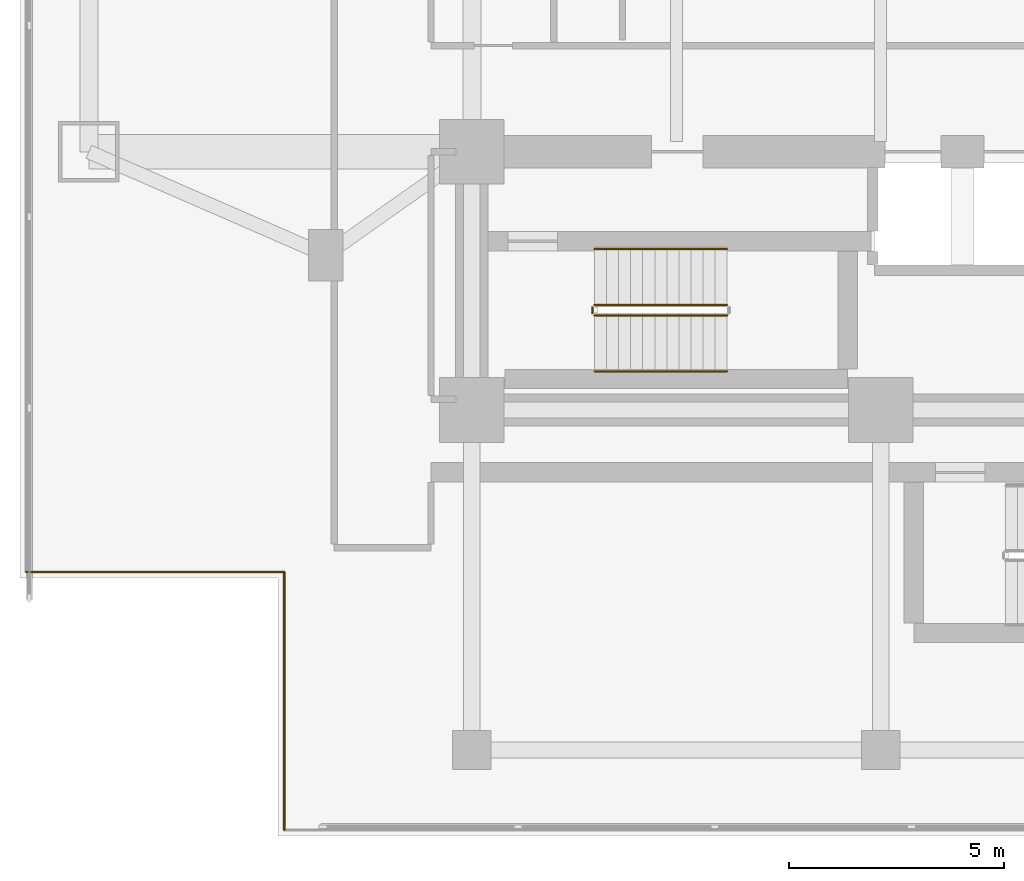
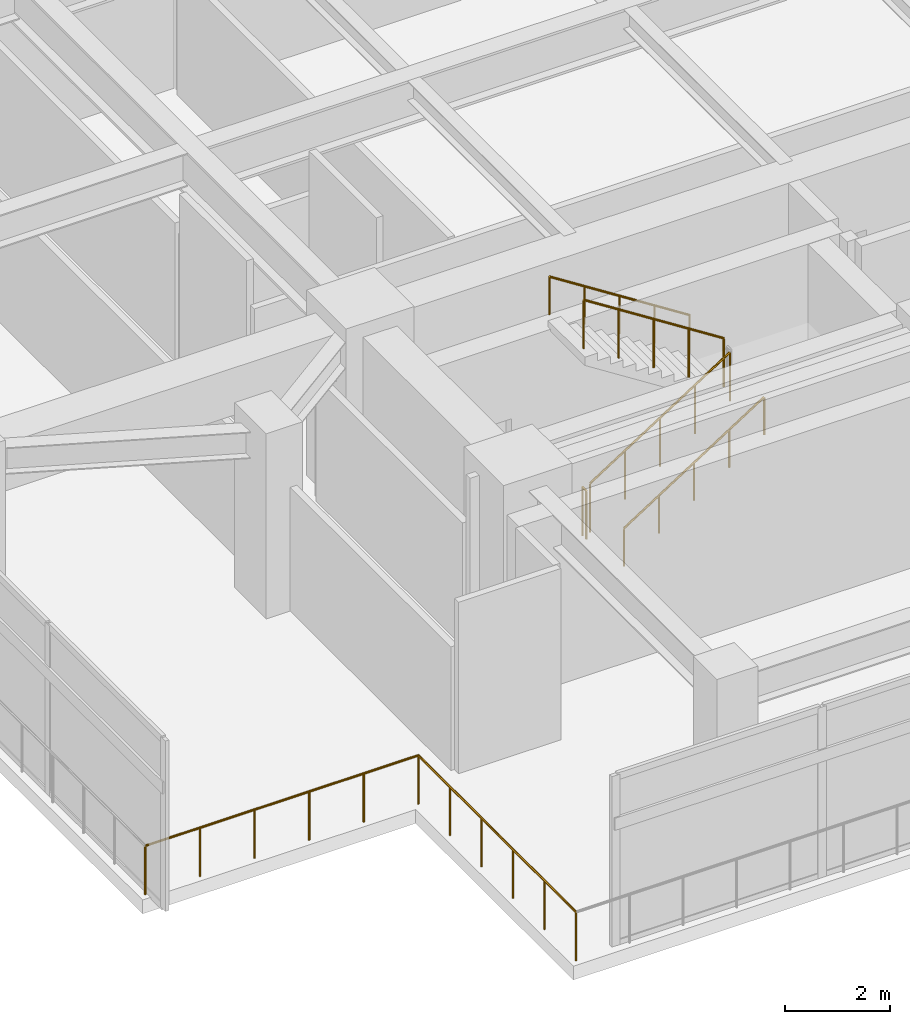
# One storey, part 20 of 30: 7 railings.
"""IFC4 building model written with IfcOpenShell, lengths in metres."""

from ifc_helpers import new_model, si_unit, direction, frame, origin, origin_2d, place, context, subcontext, project, spatial, circle, extrude, material, type_object, element, save


model = new_model("IFC4")

# Units and contexts
model_context = context("Model", 3, precision=1e-05, world=origin(), true_north=direction((0.0, 1.0)))
body_context = subcontext(model_context, "Body", "Model", "MODEL_VIEW")
ifc_project = project(units=[si_unit("LENGTHUNIT", "METRE"), si_unit("AREAUNIT", "SQUARE_METRE"), si_unit("VOLUMEUNIT", "CUBIC_METRE"), si_unit("PLANEANGLEUNIT", "RADIAN"), si_unit("MASSUNIT", "GRAM", prefix="KILO")], contexts=[model_context])

# Site, building, storey
site_placement = place(None, origin())
site = spatial("IfcSite", under=ifc_project, at=site_placement, CompositionType="ELEMENT")
building_placement = place(site_placement, origin())
building = spatial("IfcBuilding", under=site, at=building_placement, Name="Mirazonda Arch Towers", CompositionType="ELEMENT")
storey_placement = place(building_placement, frame((0.0, 0.0, 9.5)))
storey = spatial("IfcBuildingStorey", under=building, at=storey_placement, Name="L02", CompositionType="ELEMENT", Elevation=9.5)

# Railings
ifc_material = material(Name="Architectural Brushed Steel S355", Category="steel")
railing_type_1 = type_object("IfcRailingType", Name="GUARD-EXT-1150", PredefinedType="GUARDRAIL", material=ifc_material)
railing_1_placement = place(storey_placement, frame((0.639892578125, 8.639892578125, 0.0)))
element("IfcRailing", 1, at=railing_1_placement, inside=storey, type_object=railing_type_1, Name="L02 L02 West Podium Perimeter Guard 11", PredefinedType="GUARDRAIL", context=body_context, shape_type="SweptSolid", body=[
    extrude(circle(Radius=0.02392578125, at=origin_2d()), frame((0.0, 0.0, 1.1259765625), z_axis=(1.0, 0.0, 0.0), x_axis=(0.0, 1.0, 0.0)), (0.0, 0.0, 1.0), 6.0),
    extrude(circle(Radius=0.02099609375, at=origin_2d()), origin(), (0.0, 0.0, 1.0), 1.101806640625),
    extrude(circle(Radius=0.02099609375, at=origin_2d()), frame((1.199951171875, 0.0, 0.0)), (0.0, 0.0, 1.0), 1.101806640625),
    extrude(circle(Radius=0.02099609375, at=origin_2d()), frame((2.39990234375, 0.0, 0.0)), (0.0, 0.0, 1.0), 1.101806640625),
    extrude(circle(Radius=0.02099609375, at=origin_2d()), frame((3.60009765625, 0.0, 0.0)), (0.0, 0.0, 1.0), 1.101806640625),
    extrude(circle(Radius=0.02099609375, at=origin_2d()), frame((4.800048828125, 0.0, 0.0)), (0.0, 0.0, 1.0), 1.101806640625),
    extrude(circle(Radius=0.02099609375, at=origin_2d()), frame((6.0, 0.0, 0.0)), (0.0, 0.0, 1.0), 1.101806640625),
])
railing_2_placement = place(storey_placement, frame((6.639892578125, 8.639892578125, 0.0)))
element("IfcRailing", 2, at=railing_2_placement, inside=storey, type_object=railing_type_1, Name="L02 L02 West Podium Perimeter Guard 12", PredefinedType="GUARDRAIL", context=body_context, shape_type="SweptSolid", body=[
    extrude(circle(Radius=0.02392578125, at=origin_2d()), frame((0.0, 0.0, 1.1259765625), z_axis=(0.0, -1.0, 0.0), x_axis=(1.0, 0.0, 0.0)), (0.0, 0.0, 1.0), 6.0),
    extrude(circle(Radius=0.02099609375, at=origin_2d()), origin(), (0.0, 0.0, 1.0), 1.101806640625),
    extrude(circle(Radius=0.02099609375, at=origin_2d()), frame((0.0, -1.199951171875, 0.0)), (0.0, 0.0, 1.0), 1.101806640625),
    extrude(circle(Radius=0.02099609375, at=origin_2d()), frame((0.0, -2.39990234375, 0.0)), (0.0, 0.0, 1.0), 1.101806640625),
    extrude(circle(Radius=0.02099609375, at=origin_2d()), frame((0.0, -3.60009765625, 0.0)), (0.0, 0.0, 1.0), 1.101806640625),
    extrude(circle(Radius=0.02099609375, at=origin_2d()), frame((0.0, -4.800048828125, 0.0)), (0.0, 0.0, 1.0), 1.101806640625),
    extrude(circle(Radius=0.02099609375, at=origin_2d()), frame((0.0, -6.0, 0.0)), (0.0, 0.0, 1.0), 1.101806640625),
])
railing_type_2 = type_object("IfcRailingType", Name="GUARD-STAIR-1120", PredefinedType="GUARDRAIL", material=ifc_material)
railing_3_placement = place(storey_placement, frame((13.85009765625, 14.60009765625, 0.17919921875)))
element("IfcRailing", 3, at=railing_3_placement, inside=storey, type_object=railing_type_2, Name="L02 ST-T1S stair guard 1", PredefinedType="GUARDRAIL", context=body_context, shape_type="SweptSolid", body=[
    extrude(circle(Radius=0.02392578125, at=origin_2d()), frame((0.0, 0.0, 1.1259765625), z_axis=(0.842319903074, 0.0, 0.538977903893), x_axis=(0.0, 1.0, 0.0)), (0.0, 0.0, 1.0), 3.65625),
    extrude(circle(Radius=0.02099609375, at=origin_2d()), origin(), (0.0, 0.0, 1.0), 1.101806640625),
    extrude(circle(Radius=0.02099609375, at=origin_2d()), frame((0.77001953125, 0.0, 0.49267578125)), (0.0, 0.0, 1.0), 1.101806640625),
    extrude(circle(Radius=0.02099609375, at=origin_2d()), frame((1.5400390625, 0.0, 0.9853515625)), (0.0, 0.0, 1.0), 1.101806640625),
    extrude(circle(Radius=0.02099609375, at=origin_2d()), frame((2.309814453125, 0.0, 1.47802734375)), (0.0, 0.0, 1.0), 1.101806640625),
    extrude(circle(Radius=0.02099609375, at=origin_2d()), frame((3.079833984375, 0.0, 1.970703125)), (0.0, 0.0, 1.0), 1.101806640625),
])
railing_4_placement = place(storey_placement, frame((16.929931640625, 14.840087890625, 2.3291015625)))
element("IfcRailing", 4, at=railing_4_placement, inside=storey, type_object=railing_type_2, Name="L02 ST-T1S stair guard 3", PredefinedType="GUARDRAIL", context=body_context, shape_type="SweptSolid", body=[
    extrude(circle(Radius=0.02392578125, at=origin_2d()), frame((0.0, 0.0, 1.1259765625), z_axis=(-0.842289589211, 0.0, 0.539025275759), x_axis=(0.0, -1.0, 0.0)), (0.0, 0.0, 1.0), 3.656494140625),
    extrude(circle(Radius=0.02099609375, at=origin_2d()), origin(), (0.0, 0.0, 1.0), 1.101806640625),
    extrude(circle(Radius=0.02099609375, at=origin_2d()), frame((-0.77001953125, 0.0, 0.49267578125)), (0.0, 0.0, 1.0), 1.101806640625),
    extrude(circle(Radius=0.02099609375, at=origin_2d()), frame((-1.5400390625, 0.0, 0.9853515625)), (0.0, 0.0, 1.0), 1.101806640625),
    extrude(circle(Radius=0.02099609375, at=origin_2d()), frame((-2.309814453125, 0.0, 1.478271484375)), (0.0, 0.0, 1.0), 1.101806640625),
    extrude(circle(Radius=0.02099609375, at=origin_2d()), frame((-3.079833984375, 0.0, 1.970947265625)), (0.0, 0.0, 1.0), 1.101806640625),
])
railing_5_placement = place(storey_placement, frame((13.800048828125, 14.64990234375, 0.0)))
element("IfcRailing", 5, at=railing_5_placement, inside=storey, type_object=railing_type_2, Name="L02 ST-T1S stair guard 4", PredefinedType="GUARDRAIL", context=body_context, shape_type="SweptSolid", body=[
    extrude(circle(Radius=0.02392578125, at=origin_2d()), frame((0.0, 0.0, 1.1259765625), z_axis=(0.0, 1.0, 0.0), x_axis=(-1.0, 0.0, 0.0)), (0.0, 0.0, 1.0), 0.14013671875),
    extrude(circle(Radius=0.02099609375, at=origin_2d()), origin(), (0.0, 0.0, 1.0), 1.101806640625),
    extrude(circle(Radius=0.02099609375, at=origin_2d()), frame((0.0, 0.14013671875, 0.0)), (0.0, 0.0, 1.0), 1.101806640625),
])
railing_type_3 = type_object("IfcRailingType", Name="HANDRAIL-915", PredefinedType="HANDRAIL", material=ifc_material)
railing_6_placement = place(storey_placement, frame((13.85009765625, 13.300048828125, 0.17919921875)))
element("IfcRailing", 6, at=railing_6_placement, inside=storey, type_object=railing_type_3, Name="L02 ST-T1S stair handrail 1", PredefinedType="HANDRAIL", context=body_context, shape_type="SweptSolid", body=[
    extrude(circle(Radius=0.02392578125, at=origin_2d()), frame((0.0, 0.0, 0.8759765625), z_axis=(0.842319903074, 0.0, 0.538977903893), x_axis=(0.0, 1.0, 0.0)), (0.0, 0.0, 1.0), 3.65625),
    extrude(circle(Radius=0.02099609375, at=origin_2d()), origin(), (0.0, 0.0, 1.0), 0.851806640625),
    extrude(circle(Radius=0.02099609375, at=origin_2d()), frame((0.77001953125, 0.0, 0.49267578125)), (0.0, 0.0, 1.0), 0.851806640625),
    extrude(circle(Radius=0.02099609375, at=origin_2d()), frame((1.5400390625, 0.0, 0.9853515625)), (0.0, 0.0, 1.0), 0.851806640625),
    extrude(circle(Radius=0.02099609375, at=origin_2d()), frame((2.309814453125, 0.0, 1.47802734375)), (0.0, 0.0, 1.0), 0.851806640625),
    extrude(circle(Radius=0.02099609375, at=origin_2d()), frame((3.079833984375, 0.0, 1.970703125)), (0.0, 0.0, 1.0), 0.851806640625),
])
railing_7_placement = place(storey_placement, frame((16.929931640625, 16.139892578125, 2.3291015625)))
element("IfcRailing", 7, at=railing_7_placement, inside=storey, type_object=railing_type_3, Name="L02 ST-T1S stair handrail 2", PredefinedType="HANDRAIL", context=body_context, shape_type="SweptSolid", body=[
    extrude(circle(Radius=0.02392578125, at=origin_2d()), frame((0.0, 0.0, 0.8759765625), z_axis=(-0.842289589211, 0.0, 0.539025275759), x_axis=(0.0, -1.0, 0.0)), (0.0, 0.0, 1.0), 3.656494140625),
    extrude(circle(Radius=0.02099609375, at=origin_2d()), origin(), (0.0, 0.0, 1.0), 0.851806640625),
    extrude(circle(Radius=0.02099609375, at=origin_2d()), frame((-0.77001953125, 0.0, 0.49267578125)), (0.0, 0.0, 1.0), 0.851806640625),
    extrude(circle(Radius=0.02099609375, at=origin_2d()), frame((-1.5400390625, 0.0, 0.9853515625)), (0.0, 0.0, 1.0), 0.851806640625),
    extrude(circle(Radius=0.02099609375, at=origin_2d()), frame((-2.309814453125, 0.0, 1.478271484375)), (0.0, 0.0, 1.0), 0.851806640625),
    extrude(circle(Radius=0.02099609375, at=origin_2d()), frame((-3.079833984375, 0.0, 1.970947265625)), (0.0, 0.0, 1.0), 0.851806640625),
])

save(model, "model.ifc")
